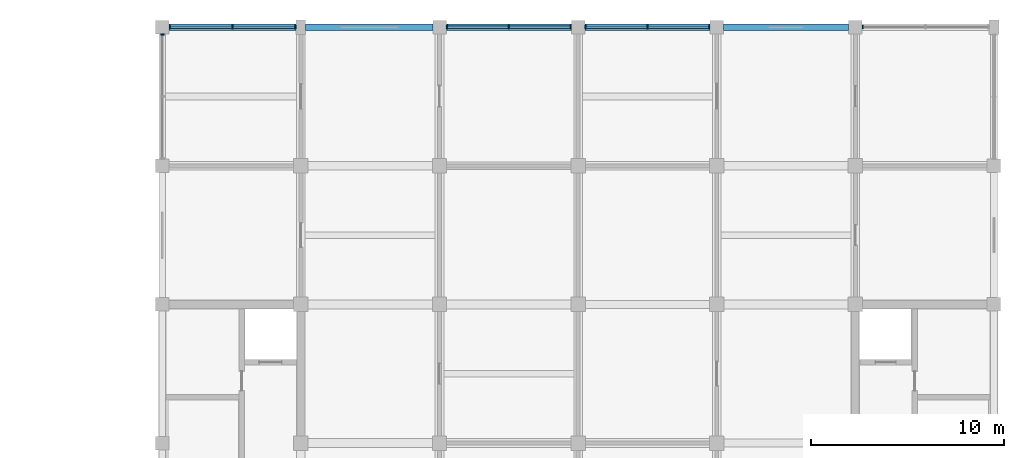
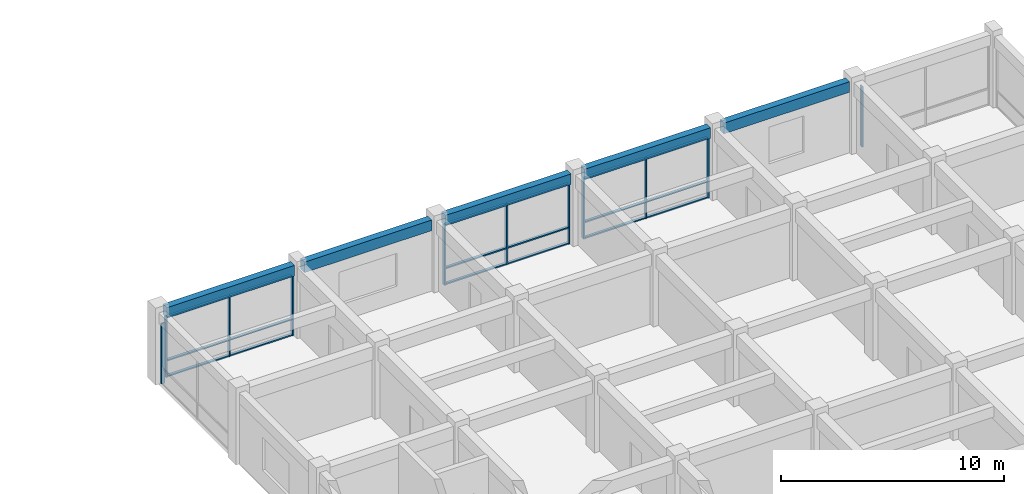
# One storey, part 12 of 31: 29 members, 5 beams, 5 elements without a shape of their own.
"""IFC4 building model written with IfcOpenShell, lengths in metres."""

from ifc_helpers import new_model, si_unit, direction, frame, origin, origin_2d, place, context, subcontext, project, spatial, rectangle, extrude, material, layer, layer_set, material_profile, profile_set, type_object, element, aggregate, save


model = new_model("IFC4")

# Units and contexts
model_context = context("Model", 3, precision=1e-05, world=origin(), true_north=direction((0.0, 1.0)))
body_context = subcontext(model_context, "Body", "Model", "MODEL_VIEW")
ifc_project = project(units=[si_unit("LENGTHUNIT", "METRE"), si_unit("AREAUNIT", "SQUARE_METRE"), si_unit("VOLUMEUNIT", "CUBIC_METRE"), si_unit("PLANEANGLEUNIT", "RADIAN"), si_unit("MASSUNIT", "GRAM", prefix="KILO")], contexts=[model_context])

# Site, building, storey
site_placement = place(None, origin())
site = spatial("IfcSite", under=ifc_project, at=site_placement, CompositionType="ELEMENT")
building_placement = place(site_placement, origin())
building = spatial("IfcBuilding", under=site, at=building_placement, Name="Cendaluz Park School", CompositionType="ELEMENT")
storey_placement = place(building_placement, frame((0.0, 0.0, 14.39990234375)))
storey = spatial("IfcBuildingStorey", under=building, at=storey_placement, Name="L03", CompositionType="ELEMENT", Elevation=14.39990234375)

# Beams
ifc_material_1 = material(Name="Concrete C40/50", Category="concrete")
ifc_material_profile_1 = material_profile(ifc_material_1, rectangle(XDim=0.35009765625, YDim=0.580078125, at=origin_2d()), Name="RC 350x580", Category="concrete")
ifc_profile_set_1 = profile_set([ifc_material_profile_1], Name="Concrete C40/50")
beam_type = type_object("IfcBeamType", Name="BM-RC04", PredefinedType="LINTEL", material=ifc_profile_set_1)
for number, where, z_axis, x_axis, name in (
    (1, (65.14990234375, 72.0, 3.60009765625), (1.0, 0.0, 0.0), (0.0, 1.0, 0.0), "BM-L03-BMRC04-0035"),
    (2, (72.25, 72.0, 3.60009765625), (1.0, 0.0, 0.0), (0.0, 1.0, 0.0), "BM-L03-BMRC04-0045"),
):
    element("IfcBeam", number, at=place(storey_placement, frame(where, z_axis=z_axis, x_axis=x_axis)), inside=storey, type_object=beam_type, Name=name, PredefinedType="LINTEL", context=body_context, shape_type="SweptSolid", body=[
        extrude(rectangle(XDim=0.35009765625, YDim=0.580078125, at=origin_2d()), origin(), (0.0, 0.0, 1.0), 6.60009765625),
    ])
for number, where, z_axis, x_axis, name in (
    (3, (79.550048828125, 72.0, 3.60009765625), (1.0, 0.0, 0.0), (0.0, 1.0, 0.0), "BM-L03-BMRC04-0055"),
    (4, (86.75, 72.0, 3.60009765625), (1.0, 0.0, 0.0), (0.0, 1.0, 0.0), "BM-L03-BMRC04-0065"),
    (5, (93.949951171875, 72.0, 3.60009765625), (1.0, 0.0, 0.0), (0.0, 1.0, 0.0), "BM-L03-BMRC04-0075"),
):
    element("IfcBeam", number, at=place(storey_placement, frame(where, z_axis=z_axis, x_axis=x_axis)), inside=storey, type_object=beam_type, Name=name, PredefinedType="LINTEL", context=body_context, shape_type="SweptSolid", body=[
        extrude(rectangle(XDim=0.35009765625, YDim=0.580078125, at=origin_2d()), origin(), (0.0, 0.0, 1.0), 6.5),
    ])

# Curtain wall, members
ifc_material_2 = material(Name="Anodised Aluminium 6063-T6", Category="aluminium")
ifc_layer_1 = layer(ifc_material_2, 0.179931640625)
ifc_layer_set_1 = layer_set([ifc_layer_1], Name="Anodised Aluminium 6063-T6")
curtain_wall_type_1 = type_object("IfcCurtainWallType", Name="CW-132x66", PredefinedType="NOTDEFINED", material=ifc_layer_set_1)
curtain_wall_1_placement = place(storey_placement, origin())
curtain_wall_1 = element("IfcCurtainWall", 6, at=curtain_wall_1_placement, inside=storey, type_object=curtain_wall_type_1, Name="CW-L03-142", PredefinedType="NOTDEFINED")
ifc_material_profile_2 = material_profile(ifc_material_2, rectangle(XDim=0.179931640625, YDim=0.070068359375, at=origin_2d()), Name="CWM 180x70", Category="aluminium")
ifc_profile_set_2 = profile_set([ifc_material_profile_2], Name="Anodised Aluminium 6063-T6")
member_type_1 = type_object("IfcMemberType", Name="CWM-01", PredefinedType="MULLION", material=ifc_profile_set_2)
member_1_placement = place(storey_placement, frame((65.18505859375, 72.0, 0.0), z_axis=(0.0, 0.0, 1.0), x_axis=(0.0, 1.0, 0.0)))
member_1 = element("IfcMember", 7, at=member_1_placement, type_object=member_type_1, Name="CP-L03-1834", PredefinedType="MULLION", context=body_context, shape_type="SweptSolid", body=[
    extrude(rectangle(XDim=0.179931640625, YDim=0.070068359375, at=origin_2d()), origin(), (0.0, 0.0, 1.0), 3.31005859375),
])
member_2_placement = place(storey_placement, frame((68.449951171875, 72.0, 0.0), z_axis=(0.0, 0.0, 1.0), x_axis=(0.0, 1.0, 0.0)))
member_2 = element("IfcMember", 8, at=member_2_placement, type_object=member_type_1, Name="CP-L03-1835", PredefinedType="MULLION", context=body_context, shape_type="SweptSolid", body=[
    extrude(rectangle(XDim=0.179931640625, YDim=0.070068359375, at=origin_2d()), origin(), (0.0, 0.0, 1.0), 3.31005859375),
])
member_3_placement = place(storey_placement, frame((71.715087890625, 72.0, 0.0), z_axis=(0.0, 0.0, 1.0), x_axis=(0.0, 1.0, 0.0)))
member_3 = element("IfcMember", 9, at=member_3_placement, type_object=member_type_1, Name="CP-L03-1836", PredefinedType="MULLION", context=body_context, shape_type="SweptSolid", body=[
    extrude(rectangle(XDim=0.179931640625, YDim=0.070068359375, at=origin_2d()), origin(), (0.0, 0.0, 1.0), 3.31005859375),
])

# Curtain wall, member
ifc_layer_2 = layer(ifc_material_2, 0.179931640625)
ifc_layer_set_2 = layer_set([ifc_layer_2], Name="Anodised Aluminium 6063-T6")
curtain_wall_type_2 = type_object("IfcCurtainWallType", Name="CW-130x66", PredefinedType="NOTDEFINED", material=ifc_layer_set_2)
curtain_wall_2_placement = place(storey_placement, origin())
curtain_wall_2 = element("IfcCurtainWall", 10, at=curtain_wall_2_placement, inside=storey, type_object=curtain_wall_type_2, Name="CW-L03-143", PredefinedType="NOTDEFINED")
member_4_placement = place(storey_placement, frame((64.800048828125, 71.614990234375, 0.0), z_axis=(0.0, 0.0, 1.0), x_axis=(-1.0, 0.0, 0.0)))
member_4 = element("IfcMember", 11, at=member_4_placement, type_object=member_type_1, Name="CP-L03-1849", PredefinedType="MULLION", context=body_context, shape_type="SweptSolid", body=[
    extrude(rectangle(XDim=0.179931640625, YDim=0.070068359375, at=origin_2d()), origin(), (0.0, 0.0, 1.0), 3.31005859375),
])
aggregate(curtain_wall_2, [member_4])

# Curtain wall, members
curtain_wall_3_placement = place(storey_placement, origin())
curtain_wall_3 = element("IfcCurtainWall", 12, at=curtain_wall_3_placement, inside=storey, type_object=curtain_wall_type_2, Name="CW-L03-145", PredefinedType="NOTDEFINED")
member_5_placement = place(storey_placement, frame((79.5849609375, 72.0, 0.0), z_axis=(0.0, 0.0, 1.0), x_axis=(0.0, 1.0, 0.0)))
member_5 = element("IfcMember", 13, at=member_5_placement, type_object=member_type_1, Name="CP-L03-1873", PredefinedType="MULLION", context=body_context, shape_type="SweptSolid", body=[
    extrude(rectangle(XDim=0.179931640625, YDim=0.070068359375, at=origin_2d()), origin(), (0.0, 0.0, 1.0), 3.31005859375),
])
member_6_placement = place(storey_placement, frame((82.800048828125, 72.0, 0.0), z_axis=(0.0, 0.0, 1.0), x_axis=(0.0, 1.0, 0.0)))
member_6 = element("IfcMember", 14, at=member_6_placement, type_object=member_type_1, Name="CP-L03-1874", PredefinedType="MULLION", context=body_context, shape_type="SweptSolid", body=[
    extrude(rectangle(XDim=0.179931640625, YDim=0.070068359375, at=origin_2d()), origin(), (0.0, 0.0, 1.0), 3.31005859375),
])
member_7_placement = place(storey_placement, frame((86.014892578125, 72.0, 0.0), z_axis=(0.0, 0.0, 1.0), x_axis=(0.0, 1.0, 0.0)))
member_7 = element("IfcMember", 15, at=member_7_placement, type_object=member_type_1, Name="CP-L03-1875", PredefinedType="MULLION", context=body_context, shape_type="SweptSolid", body=[
    extrude(rectangle(XDim=0.179931640625, YDim=0.070068359375, at=origin_2d()), origin(), (0.0, 0.0, 1.0), 3.31005859375),
])

curtain_wall_4_placement = place(storey_placement, origin())
curtain_wall_4 = element("IfcCurtainWall", 16, at=curtain_wall_4_placement, inside=storey, type_object=curtain_wall_type_2, Name="CW-L03-147", PredefinedType="NOTDEFINED")
member_8_placement = place(storey_placement, frame((86.784912109375, 72.0, 0.0), z_axis=(0.0, 0.0, 1.0), x_axis=(0.0, 1.0, 0.0)))
member_8 = element("IfcMember", 17, at=member_8_placement, type_object=member_type_1, Name="CP-L03-1899", PredefinedType="MULLION", context=body_context, shape_type="SweptSolid", body=[
    extrude(rectangle(XDim=0.179931640625, YDim=0.070068359375, at=origin_2d()), origin(), (0.0, 0.0, 1.0), 3.31005859375),
])
member_9_placement = place(storey_placement, frame((90.0, 72.0, 0.0), z_axis=(0.0, 0.0, 1.0), x_axis=(0.0, 1.0, 0.0)))
member_9 = element("IfcMember", 18, at=member_9_placement, type_object=member_type_1, Name="CP-L03-1900", PredefinedType="MULLION", context=body_context, shape_type="SweptSolid", body=[
    extrude(rectangle(XDim=0.179931640625, YDim=0.070068359375, at=origin_2d()), origin(), (0.0, 0.0, 1.0), 3.31005859375),
])
member_10_placement = place(storey_placement, frame((93.215087890625, 72.0, 0.0), z_axis=(0.0, 0.0, 1.0), x_axis=(0.0, 1.0, 0.0)))
member_10 = element("IfcMember", 19, at=member_10_placement, type_object=member_type_1, Name="CP-L03-1901", PredefinedType="MULLION", context=body_context, shape_type="SweptSolid", body=[
    extrude(rectangle(XDim=0.179931640625, YDim=0.070068359375, at=origin_2d()), origin(), (0.0, 0.0, 1.0), 3.31005859375),
])

# Curtain wall, member
curtain_wall_5_placement = place(storey_placement, origin())
curtain_wall_5 = element("IfcCurtainWall", 20, at=curtain_wall_5_placement, inside=storey, type_object=curtain_wall_type_1, Name="CW-L03-150", PredefinedType="NOTDEFINED")
member_11_placement = place(storey_placement, frame((101.18505859375, 72.0, 0.0), z_axis=(0.0, 0.0, 1.0), x_axis=(0.0, 1.0, 0.0)))
member_11 = element("IfcMember", 21, at=member_11_placement, type_object=member_type_1, Name="CP-L03-1938", PredefinedType="MULLION", context=body_context, shape_type="SweptSolid", body=[
    extrude(rectangle(XDim=0.179931640625, YDim=0.070068359375, at=origin_2d()), origin(), (0.0, 0.0, 1.0), 3.31005859375),
])
aggregate(curtain_wall_5, [member_11])

# Member
ifc_material_profile_3 = material_profile(ifc_material_2, rectangle(XDim=0.139892578125, YDim=0.070068359375, at=origin_2d()), Name="CWT 140x70", Category="aluminium")
ifc_profile_set_3 = profile_set([ifc_material_profile_3], Name="Anodised Aluminium 6063-T6")
member_type_2 = type_object("IfcMemberType", Name="CWT-01", PredefinedType="USERDEFINED", material=ifc_profile_set_3)
member_12_placement = place(storey_placement, frame((65.219970703125, 72.0, 0.03515625), z_axis=(1.0, 0.0, 0.0), x_axis=(0.0, 1.0, 0.0)))
member_12 = element("IfcMember", 22, at=member_12_placement, type_object=member_type_2, Name="CP-L03-1837", ObjectType="TRANSOM", PredefinedType="USERDEFINED", context=body_context, shape_type="SweptSolid", body=[
    extrude(rectangle(XDim=0.139892578125, YDim=0.070068359375, at=origin_2d()), origin(), (0.0, 0.0, 1.0), 3.195068359375),
])

member_13_placement = place(storey_placement, frame((65.219970703125, 72.0, 0.900146484375), z_axis=(1.0, 0.0, 0.0), x_axis=(0.0, 1.0, 0.0)))
member_13 = element("IfcMember", 23, at=member_13_placement, type_object=member_type_2, Name="CP-L03-1838", ObjectType="TRANSOM", PredefinedType="USERDEFINED", context=body_context, shape_type="SweptSolid", body=[
    extrude(rectangle(XDim=0.139892578125, YDim=0.070068359375, at=origin_2d()), origin(), (0.0, 0.0, 1.0), 3.195068359375),
])

member_14_placement = place(storey_placement, frame((65.219970703125, 72.0, 3.275146484375), z_axis=(1.0, 0.0, 0.0), x_axis=(0.0, 1.0, 0.0)))
member_14 = element("IfcMember", 24, at=member_14_placement, type_object=member_type_2, Name="CP-L03-1839", ObjectType="TRANSOM", PredefinedType="USERDEFINED", context=body_context, shape_type="SweptSolid", body=[
    extrude(rectangle(XDim=0.139892578125, YDim=0.070068359375, at=origin_2d()), origin(), (0.0, 0.0, 1.0), 3.195068359375),
])

member_15_placement = place(storey_placement, frame((68.485107421875, 72.0, 0.03515625), z_axis=(1.0, 0.0, 0.0), x_axis=(0.0, 1.0, 0.0)))
member_15 = element("IfcMember", 25, at=member_15_placement, type_object=member_type_2, Name="CP-L03-1842", ObjectType="TRANSOM", PredefinedType="USERDEFINED", context=body_context, shape_type="SweptSolid", body=[
    extrude(rectangle(XDim=0.139892578125, YDim=0.070068359375, at=origin_2d()), origin(), (0.0, 0.0, 1.0), 3.19482421875),
])

member_16_placement = place(storey_placement, frame((68.485107421875, 72.0, 0.900146484375), z_axis=(1.0, 0.0, 0.0), x_axis=(0.0, 1.0, 0.0)))
member_16 = element("IfcMember", 26, at=member_16_placement, type_object=member_type_2, Name="CP-L03-1843", ObjectType="TRANSOM", PredefinedType="USERDEFINED", context=body_context, shape_type="SweptSolid", body=[
    extrude(rectangle(XDim=0.139892578125, YDim=0.070068359375, at=origin_2d()), origin(), (0.0, 0.0, 1.0), 3.19482421875),
])

member_17_placement = place(storey_placement, frame((68.485107421875, 72.0, 3.275146484375), z_axis=(1.0, 0.0, 0.0), x_axis=(0.0, 1.0, 0.0)))
member_17 = element("IfcMember", 27, at=member_17_placement, type_object=member_type_2, Name="CP-L03-1844", ObjectType="TRANSOM", PredefinedType="USERDEFINED", context=body_context, shape_type="SweptSolid", body=[
    extrude(rectangle(XDim=0.139892578125, YDim=0.070068359375, at=origin_2d()), origin(), (0.0, 0.0, 1.0), 3.19482421875),
])

aggregate(curtain_wall_1, [member_1, member_2, member_3, member_12, member_13, member_14, member_15, member_16, member_17])

member_18_placement = place(storey_placement, frame((79.6201171875, 72.0, 0.03515625), z_axis=(1.0, 0.0, 0.0), x_axis=(0.0, 1.0, 0.0)))
member_18 = element("IfcMember", 28, at=member_18_placement, type_object=member_type_2, Name="CP-L03-1876", ObjectType="TRANSOM", PredefinedType="USERDEFINED", context=body_context, shape_type="SweptSolid", body=[
    extrude(rectangle(XDim=0.139892578125, YDim=0.070068359375, at=origin_2d()), origin(), (0.0, 0.0, 1.0), 3.144775390625),
])

member_19_placement = place(storey_placement, frame((79.6201171875, 72.0, 0.900146484375), z_axis=(1.0, 0.0, 0.0), x_axis=(0.0, 1.0, 0.0)))
member_19 = element("IfcMember", 29, at=member_19_placement, type_object=member_type_2, Name="CP-L03-1877", ObjectType="TRANSOM", PredefinedType="USERDEFINED", context=body_context, shape_type="SweptSolid", body=[
    extrude(rectangle(XDim=0.139892578125, YDim=0.070068359375, at=origin_2d()), origin(), (0.0, 0.0, 1.0), 3.144775390625),
])

member_20_placement = place(storey_placement, frame((79.6201171875, 72.0, 3.275146484375), z_axis=(1.0, 0.0, 0.0), x_axis=(0.0, 1.0, 0.0)))
member_20 = element("IfcMember", 30, at=member_20_placement, type_object=member_type_2, Name="CP-L03-1878", ObjectType="TRANSOM", PredefinedType="USERDEFINED", context=body_context, shape_type="SweptSolid", body=[
    extrude(rectangle(XDim=0.139892578125, YDim=0.070068359375, at=origin_2d()), origin(), (0.0, 0.0, 1.0), 3.144775390625),
])

member_21_placement = place(storey_placement, frame((82.8349609375, 72.0, 0.03515625), z_axis=(1.0, 0.0, 0.0), x_axis=(0.0, 1.0, 0.0)))
member_21 = element("IfcMember", 31, at=member_21_placement, type_object=member_type_2, Name="CP-L03-1881", ObjectType="TRANSOM", PredefinedType="USERDEFINED", context=body_context, shape_type="SweptSolid", body=[
    extrude(rectangle(XDim=0.139892578125, YDim=0.070068359375, at=origin_2d()), origin(), (0.0, 0.0, 1.0), 3.14501953125),
])

member_22_placement = place(storey_placement, frame((82.8349609375, 72.0, 0.900146484375), z_axis=(1.0, 0.0, 0.0), x_axis=(0.0, 1.0, 0.0)))
member_22 = element("IfcMember", 32, at=member_22_placement, type_object=member_type_2, Name="CP-L03-1882", ObjectType="TRANSOM", PredefinedType="USERDEFINED", context=body_context, shape_type="SweptSolid", body=[
    extrude(rectangle(XDim=0.139892578125, YDim=0.070068359375, at=origin_2d()), origin(), (0.0, 0.0, 1.0), 3.14501953125),
])

member_23_placement = place(storey_placement, frame((82.8349609375, 72.0, 3.275146484375), z_axis=(1.0, 0.0, 0.0), x_axis=(0.0, 1.0, 0.0)))
member_23 = element("IfcMember", 33, at=member_23_placement, type_object=member_type_2, Name="CP-L03-1883", ObjectType="TRANSOM", PredefinedType="USERDEFINED", context=body_context, shape_type="SweptSolid", body=[
    extrude(rectangle(XDim=0.139892578125, YDim=0.070068359375, at=origin_2d()), origin(), (0.0, 0.0, 1.0), 3.14501953125),
])

aggregate(curtain_wall_3, [member_5, member_6, member_7, member_18, member_19, member_20, member_21, member_22, member_23])

member_24_placement = place(storey_placement, frame((86.820068359375, 72.0, 0.03515625), z_axis=(1.0, 0.0, 0.0), x_axis=(0.0, 1.0, 0.0)))
member_24 = element("IfcMember", 34, at=member_24_placement, type_object=member_type_2, Name="CP-L03-1902", ObjectType="TRANSOM", PredefinedType="USERDEFINED", context=body_context, shape_type="SweptSolid", body=[
    extrude(rectangle(XDim=0.139892578125, YDim=0.070068359375, at=origin_2d()), origin(), (0.0, 0.0, 1.0), 3.14501953125),
])

member_25_placement = place(storey_placement, frame((86.820068359375, 72.0, 0.900146484375), z_axis=(1.0, 0.0, 0.0), x_axis=(0.0, 1.0, 0.0)))
member_25 = element("IfcMember", 35, at=member_25_placement, type_object=member_type_2, Name="CP-L03-1903", ObjectType="TRANSOM", PredefinedType="USERDEFINED", context=body_context, shape_type="SweptSolid", body=[
    extrude(rectangle(XDim=0.139892578125, YDim=0.070068359375, at=origin_2d()), origin(), (0.0, 0.0, 1.0), 3.14501953125),
])

member_26_placement = place(storey_placement, frame((86.820068359375, 72.0, 3.275146484375), z_axis=(1.0, 0.0, 0.0), x_axis=(0.0, 1.0, 0.0)))
member_26 = element("IfcMember", 36, at=member_26_placement, type_object=member_type_2, Name="CP-L03-1904", ObjectType="TRANSOM", PredefinedType="USERDEFINED", context=body_context, shape_type="SweptSolid", body=[
    extrude(rectangle(XDim=0.139892578125, YDim=0.070068359375, at=origin_2d()), origin(), (0.0, 0.0, 1.0), 3.14501953125),
])

member_27_placement = place(storey_placement, frame((90.034912109375, 72.0, 0.03515625), z_axis=(1.0, 0.0, 0.0), x_axis=(0.0, 1.0, 0.0)))
member_27 = element("IfcMember", 37, at=member_27_placement, type_object=member_type_2, Name="CP-L03-1907", ObjectType="TRANSOM", PredefinedType="USERDEFINED", context=body_context, shape_type="SweptSolid", body=[
    extrude(rectangle(XDim=0.139892578125, YDim=0.070068359375, at=origin_2d()), origin(), (0.0, 0.0, 1.0), 3.14501953125),
])

member_28_placement = place(storey_placement, frame((90.034912109375, 72.0, 0.900146484375), z_axis=(1.0, 0.0, 0.0), x_axis=(0.0, 1.0, 0.0)))
member_28 = element("IfcMember", 38, at=member_28_placement, type_object=member_type_2, Name="CP-L03-1908", ObjectType="TRANSOM", PredefinedType="USERDEFINED", context=body_context, shape_type="SweptSolid", body=[
    extrude(rectangle(XDim=0.139892578125, YDim=0.070068359375, at=origin_2d()), origin(), (0.0, 0.0, 1.0), 3.14501953125),
])

member_29_placement = place(storey_placement, frame((90.034912109375, 72.0, 3.275146484375), z_axis=(1.0, 0.0, 0.0), x_axis=(0.0, 1.0, 0.0)))
member_29 = element("IfcMember", 39, at=member_29_placement, type_object=member_type_2, Name="CP-L03-1909", ObjectType="TRANSOM", PredefinedType="USERDEFINED", context=body_context, shape_type="SweptSolid", body=[
    extrude(rectangle(XDim=0.139892578125, YDim=0.070068359375, at=origin_2d()), origin(), (0.0, 0.0, 1.0), 3.14501953125),
])

aggregate(curtain_wall_4, [member_8, member_9, member_10, member_24, member_25, member_26, member_27, member_28, member_29])

save(model, "model.ifc")
